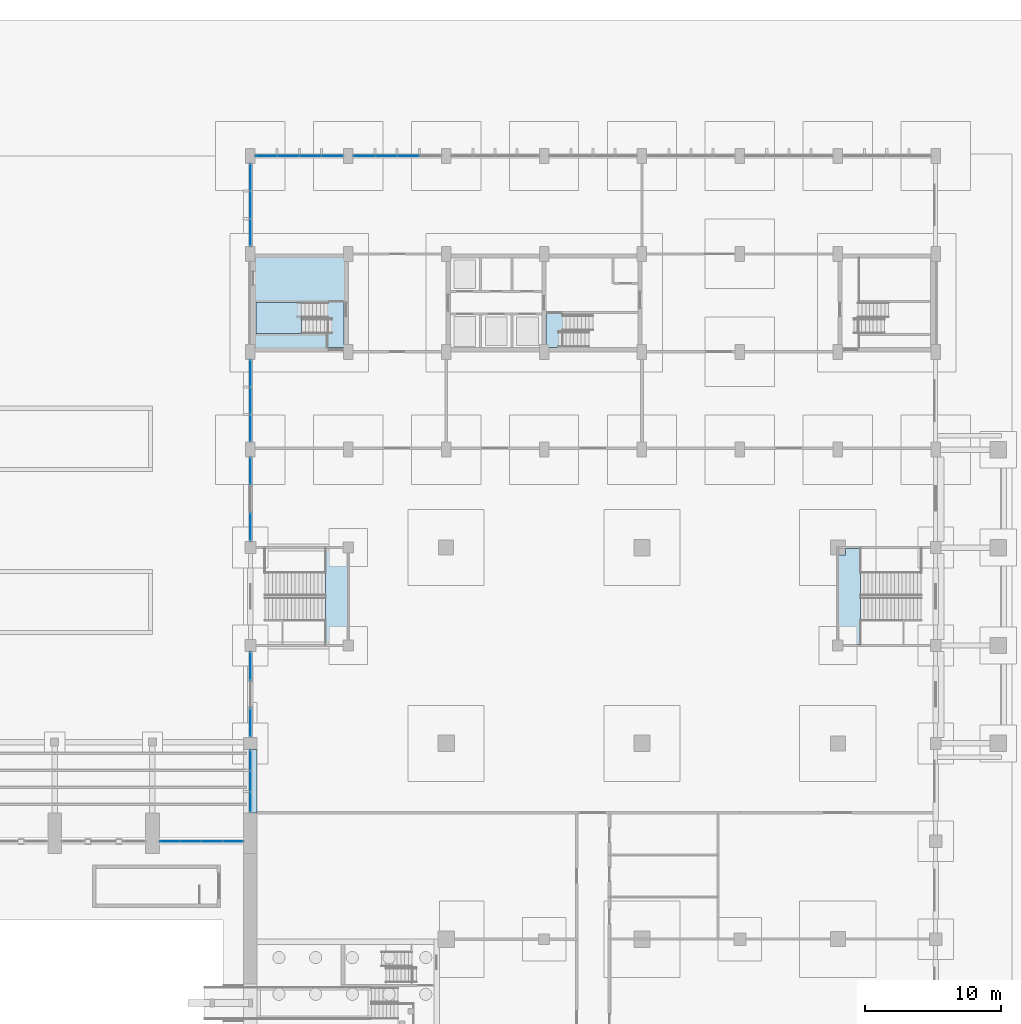
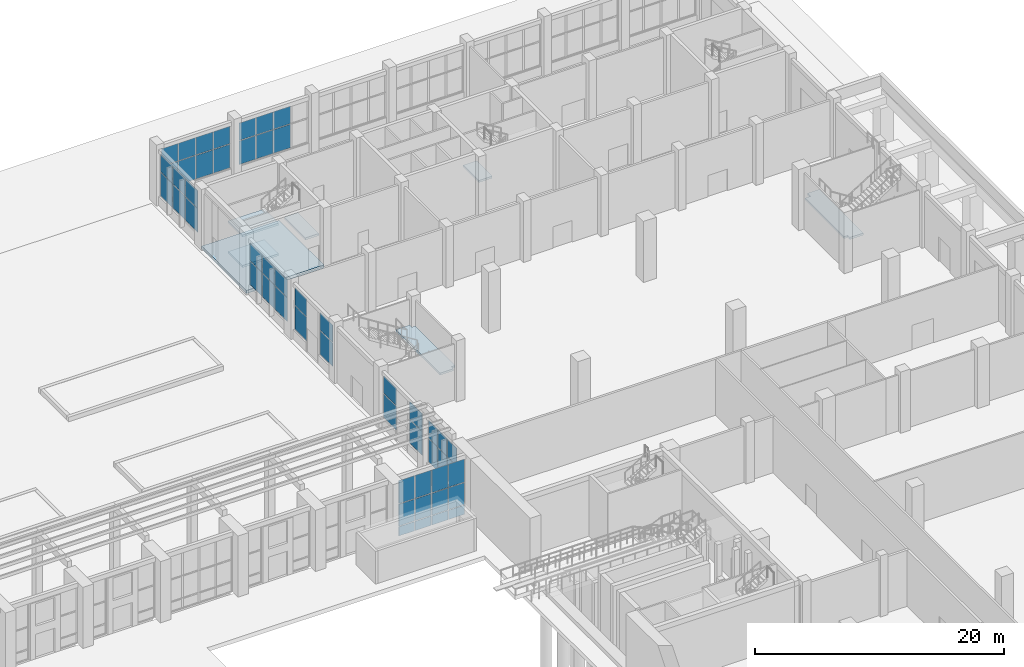
# One storey, part 36 of 70: 52 plates, 8 slabs, 14 elements without a shape of their own.
"""IFC4 building model written with IfcOpenShell, lengths in metres."""

from ifc_helpers import new_model, si_unit, direction, frame, origin, origin_2d, place, context, subcontext, project, spatial, polyline, rectangle, outline, extrude, material, layer, layer_set, type_object, element, aggregate, save


model = new_model("IFC4")

# Units and contexts
model_context = context("Model", 3, precision=1e-05, world=origin(), true_north=direction((0.0, 1.0)))
body_context = subcontext(model_context, "Body", "Model", "MODEL_VIEW")
ifc_project = project(units=[si_unit("LENGTHUNIT", "METRE"), si_unit("AREAUNIT", "SQUARE_METRE"), si_unit("VOLUMEUNIT", "CUBIC_METRE"), si_unit("PLANEANGLEUNIT", "RADIAN"), si_unit("MASSUNIT", "GRAM", prefix="KILO")], contexts=[model_context])

# Site, building, storey
site_placement = place(None, origin())
site = spatial("IfcSite", under=ifc_project, at=site_placement, CompositionType="ELEMENT")
building_placement = place(site_placement, origin())
building = spatial("IfcBuilding", under=site, at=building_placement, Name="Vermilion Court Aquatics Centre", CompositionType="ELEMENT")
storey_placement = place(building_placement, origin())
storey = spatial("IfcBuildingStorey", under=building, at=storey_placement, Name="L00", CompositionType="ELEMENT", Elevation=0.0)

# Curtain wall, plates
ifc_material_1 = material(Name="Aluminium 6063-T5", Category="aluminium")
curtain_wall_type_1 = type_object("IfcCurtainWallType", Name="Envelope curtain wall hall glazing L00", PredefinedType="NOTDEFINED", material=ifc_material_1)
curtain_wall_1_placement = place(storey_placement, origin())
curtain_wall_1 = element("IfcCurtainWall", 1, at=curtain_wall_1_placement, inside=storey, type_object=curtain_wall_type_1, Name="Hall glazing bay 18 L00", PredefinedType="NOTDEFINED")
ifc_material_2 = material(Name="Glazing", Category="glass")
ifc_layer_1 = layer(ifc_material_2, 0.028076171875)
ifc_layer_set_1 = layer_set([ifc_layer_1], Name="Envelope insulated glazing panel 28")
plate_type_1 = type_object("IfcPlateType", Name="Envelope insulated glazing panel 28", PredefinedType="CURTAIN_PANEL", material=ifc_layer_set_1)
plate_1_placement = place(storey_placement, frame((138.090087890625, 64.800048828125, 0.06005859375), z_axis=(0.0, 0.0, 1.0), x_axis=(1.0, 0.0, 0.0)))
plate_1 = element("IfcPlate", 2, at=plate_1_placement, type_object=plate_type_1, Name="ECW1 panel 1.1", PredefinedType="CURTAIN_PANEL", context=body_context, shape_type="SweptSolid", body=[
    extrude(rectangle(XDim=1.4599609375, YDim=0.028076171875, at=origin_2d()), origin(), (0.0, 0.0, 1.0), 0.909912109375),
])
plate_2_placement = place(storey_placement, frame((138.090087890625, 64.800048828125, 1.0302734375), z_axis=(0.0, 0.0, 1.0), x_axis=(1.0, 0.0, 0.0)))
plate_2 = element("IfcPlate", 3, at=plate_2_placement, type_object=plate_type_1, Name="ECW1 panel 1.2", PredefinedType="CURTAIN_PANEL", context=body_context, shape_type="SweptSolid", body=[
    extrude(rectangle(XDim=1.4599609375, YDim=0.028076171875, at=origin_2d()), origin(), (0.0, 0.0, 1.0), 2.139892578125),
])
plate_3_placement = place(storey_placement, frame((138.090087890625, 64.800048828125, 3.22998046875), z_axis=(0.0, 0.0, 1.0), x_axis=(1.0, 0.0, 0.0)))
plate_3 = element("IfcPlate", 4, at=plate_3_placement, type_object=plate_type_1, Name="ECW1 panel 1.3", PredefinedType="CURTAIN_PANEL", context=body_context, shape_type="SweptSolid", body=[
    extrude(rectangle(XDim=1.4599609375, YDim=0.028076171875, at=origin_2d()), origin(), (0.0, 0.0, 1.0), 2.260009765625),
])
plate_4_placement = place(storey_placement, frame((139.625, 64.800048828125, 0.06005859375), z_axis=(0.0, 0.0, 1.0), x_axis=(1.0, 0.0, 0.0)))
plate_4 = element("IfcPlate", 5, at=plate_4_placement, type_object=plate_type_1, Name="ECW1 panel 2.1", PredefinedType="CURTAIN_PANEL", context=body_context, shape_type="SweptSolid", body=[
    extrude(rectangle(XDim=1.489990234375, YDim=0.028076171875, at=origin_2d()), origin(), (0.0, 0.0, 1.0), 0.909912109375),
])
plate_5_placement = place(storey_placement, frame((139.625, 64.800048828125, 1.0302734375), z_axis=(0.0, 0.0, 1.0), x_axis=(1.0, 0.0, 0.0)))
plate_5 = element("IfcPlate", 6, at=plate_5_placement, type_object=plate_type_1, Name="ECW1 panel 2.2", PredefinedType="CURTAIN_PANEL", context=body_context, shape_type="SweptSolid", body=[
    extrude(rectangle(XDim=1.489990234375, YDim=0.028076171875, at=origin_2d()), origin(), (0.0, 0.0, 1.0), 2.139892578125),
])
plate_6_placement = place(storey_placement, frame((139.625, 64.800048828125, 3.22998046875), z_axis=(0.0, 0.0, 1.0), x_axis=(1.0, 0.0, 0.0)))
plate_6 = element("IfcPlate", 7, at=plate_6_placement, type_object=plate_type_1, Name="ECW1 panel 2.3", PredefinedType="CURTAIN_PANEL", context=body_context, shape_type="SweptSolid", body=[
    extrude(rectangle(XDim=1.489990234375, YDim=0.028076171875, at=origin_2d()), origin(), (0.0, 0.0, 1.0), 2.260009765625),
])
plate_7_placement = place(storey_placement, frame((141.175048828125, 64.800048828125, 0.06005859375), z_axis=(0.0, 0.0, 1.0), x_axis=(1.0, 0.0, 0.0)))
plate_7 = element("IfcPlate", 8, at=plate_7_placement, type_object=plate_type_1, Name="ECW1 panel 3.1", PredefinedType="CURTAIN_PANEL", context=body_context, shape_type="SweptSolid", body=[
    extrude(rectangle(XDim=1.489990234375, YDim=0.028076171875, at=origin_2d()), origin(), (0.0, 0.0, 1.0), 0.909912109375),
])
plate_8_placement = place(storey_placement, frame((141.175048828125, 64.800048828125, 1.0302734375), z_axis=(0.0, 0.0, 1.0), x_axis=(1.0, 0.0, 0.0)))
plate_8 = element("IfcPlate", 9, at=plate_8_placement, type_object=plate_type_1, Name="ECW1 panel 3.2", PredefinedType="CURTAIN_PANEL", context=body_context, shape_type="SweptSolid", body=[
    extrude(rectangle(XDim=1.489990234375, YDim=0.028076171875, at=origin_2d()), origin(), (0.0, 0.0, 1.0), 2.139892578125),
])
plate_9_placement = place(storey_placement, frame((141.175048828125, 64.800048828125, 3.22998046875), z_axis=(0.0, 0.0, 1.0), x_axis=(1.0, 0.0, 0.0)))
plate_9 = element("IfcPlate", 10, at=plate_9_placement, type_object=plate_type_1, Name="ECW1 panel 3.3", PredefinedType="CURTAIN_PANEL", context=body_context, shape_type="SweptSolid", body=[
    extrude(rectangle(XDim=1.489990234375, YDim=0.028076171875, at=origin_2d()), origin(), (0.0, 0.0, 1.0), 2.260009765625),
])
plate_10_placement = place(storey_placement, frame((142.7099609375, 64.800048828125, 0.06005859375), z_axis=(0.0, 0.0, 1.0), x_axis=(1.0, 0.0, 0.0)))
plate_10 = element("IfcPlate", 11, at=plate_10_placement, type_object=plate_type_1, Name="ECW1 panel 4.1", PredefinedType="CURTAIN_PANEL", context=body_context, shape_type="SweptSolid", body=[
    extrude(rectangle(XDim=1.4599609375, YDim=0.028076171875, at=origin_2d()), origin(), (0.0, 0.0, 1.0), 0.909912109375),
])
plate_11_placement = place(storey_placement, frame((142.7099609375, 64.800048828125, 1.0302734375), z_axis=(0.0, 0.0, 1.0), x_axis=(1.0, 0.0, 0.0)))
plate_11 = element("IfcPlate", 12, at=plate_11_placement, type_object=plate_type_1, Name="ECW1 panel 4.2", PredefinedType="CURTAIN_PANEL", context=body_context, shape_type="SweptSolid", body=[
    extrude(rectangle(XDim=1.4599609375, YDim=0.028076171875, at=origin_2d()), origin(), (0.0, 0.0, 1.0), 2.139892578125),
])
plate_12_placement = place(storey_placement, frame((142.7099609375, 64.800048828125, 3.22998046875), z_axis=(0.0, 0.0, 1.0), x_axis=(1.0, 0.0, 0.0)))
plate_12 = element("IfcPlate", 13, at=plate_12_placement, type_object=plate_type_1, Name="ECW1 panel 4.3", PredefinedType="CURTAIN_PANEL", context=body_context, shape_type="SweptSolid", body=[
    extrude(rectangle(XDim=1.4599609375, YDim=0.028076171875, at=origin_2d()), origin(), (0.0, 0.0, 1.0), 2.260009765625),
])
aggregate(curtain_wall_1, [plate_1, plate_2, plate_3, plate_4, plate_5, plate_6, plate_7, plate_8, plate_9, plate_10, plate_11, plate_12])

# Slab
ifc_material_3 = material(Name="Concrete 5000 psi", Category="concrete")
ifc_layer_2 = layer(ifc_material_3, 0.300048828125)
ifc_layer_set_2 = layer_set([ifc_layer_2], Name="North block ground slab 300")
slab_type_1 = type_object("IfcSlabType", Name="North block ground slab 300", PredefinedType="BASESLAB", material=ifc_layer_set_2)
slab_1_placement = place(storey_placement, frame((0.0, 0.0, -0.300048828125)))
element("IfcSlab", 14, at=slab_1_placement, inside=storey, type_object=slab_type_1, Name="Stair 1 floor L00", PredefinedType="BASESLAB", context=body_context, shape_type="SweptSolid", body=[
    extrude(outline(polyline([(144.0, 100.800048828125), (151.199951171875, 100.800048828125), (151.199951171875, 108.0), (144.0, 108.0), (144.0, 100.800048828125)])), origin(), (0.0, 0.0, 1.0), 0.300048828125),
])

# Stair, slabs
ifc_material_4 = material(Name="Concrete 5000 psi", Category="concrete")
stair_type_1 = type_object("IfcStairType", Name="North block exit stair 1130", PredefinedType="HALF_TURN_STAIR", material=ifc_material_4)
stair_1_placement = place(storey_placement, origin())
stair_1 = element("IfcStair", 15, at=stair_1_placement, inside=storey, type_object=stair_type_1, Name="Exit stair ST-T1 L00", PredefinedType="HALF_TURN_STAIR")
ifc_material_5 = material(Name="Concrete 5000 psi", Category="concrete")
ifc_layer_3 = layer(ifc_material_5, 0.199951171875)
ifc_layer_set_3 = layer_set([ifc_layer_3], Name="North block stair landing 200")
slab_type_2 = type_object("IfcSlabType", Name="North block stair landing 200", PredefinedType="LANDING", material=ifc_layer_set_3)
slab_2_placement = place(storey_placement, frame((0.0, 0.0, 1.300048828125)))
slab_2 = element("IfcSlab", 16, at=slab_2_placement, type_object=slab_type_2, Name="ST-T1 landing 1", PredefinedType="LANDING", context=body_context, shape_type="SweptSolid", body=[
    extrude(outline(polyline([(144.39990234375, 102.1298828125), (147.760009765625, 102.1298828125), (147.760009765625, 104.429931640625), (144.39990234375, 104.429931640625), (144.39990234375, 102.1298828125)])), origin(), (0.0, 0.0, 1.0), 0.199951171875),
])
slab_3_placement = place(storey_placement, frame((0.0, 0.0, 2.800048828125)))
slab_3 = element("IfcSlab", 17, at=slab_3_placement, type_object=slab_type_2, Name="ST-T1 landing 2", PredefinedType="LANDING", context=body_context, shape_type="SweptSolid", body=[
    extrude(outline(polyline([(149.64990234375, 101.10009765625), (150.89990234375, 101.10009765625), (150.89990234375, 104.5048828125), (149.64990234375, 104.5048828125), (149.64990234375, 101.10009765625)])), origin(), (0.0, 0.0, 1.0), 0.199951171875),
])
slab_4_placement = place(storey_placement, frame((0.0, 0.0, 4.300048828125)))
slab_4 = element("IfcSlab", 18, at=slab_4_placement, type_object=slab_type_2, Name="ST-T1 landing 3", PredefinedType="LANDING", context=body_context, shape_type="SweptSolid", body=[
    extrude(outline(polyline([(144.39990234375, 102.1298828125), (147.760009765625, 102.1298828125), (147.760009765625, 104.429931640625), (144.39990234375, 104.429931640625), (144.39990234375, 102.1298828125)])), origin(), (0.0, 0.0, 1.0), 0.199951171875),
])
aggregate(stair_1, [slab_2, slab_3, slab_4])

# Stair, slab
stair_2_placement = place(storey_placement, origin())
stair_2 = element("IfcStair", 19, at=stair_2_placement, inside=storey, type_object=stair_type_1, Name="Exit stair ST-T3 L00", PredefinedType="HALF_TURN_STAIR")
slab_5_placement = place(storey_placement, frame((0.0, 0.0, 2.800048828125)))
slab_5 = element("IfcSlab", 20, at=slab_5_placement, type_object=slab_type_2, Name="ST-T3 landing 2", PredefinedType="LANDING", context=body_context, shape_type="SweptSolid", body=[
    extrude(outline(polyline([(165.75, 101.10009765625), (167.0, 101.10009765625), (167.0, 103.60009765625), (165.75, 103.60009765625), (165.75, 101.10009765625)])), origin(), (0.0, 0.0, 1.0), 0.199951171875),
])
aggregate(stair_2, [slab_5])

# Curtain wall, plates
ifc_material_6 = material(Name="Aluminium 6063-T5", Category="aluminium")
ifc_layer_4 = layer(ifc_material_6, 0.14990234375)
ifc_layer_set_4 = layer_set([ifc_layer_4], Name="Podium curtain wall bay, 1800 module")
curtain_wall_type_2 = type_object("IfcCurtainWallType", Name="Podium curtain wall bay, 1800 module", PredefinedType="NOTDEFINED", material=ifc_layer_set_4)
curtain_wall_2_placement = place(storey_placement, origin())
curtain_wall_2 = element("IfcCurtainWall", 21, at=curtain_wall_2_placement, inside=storey, type_object=curtain_wall_type_2, Name="Curtain wall L00", PredefinedType="NOTDEFINED")
ifc_material_7 = material(Name="Glazing", Category="glass")
ifc_layer_5 = layer(ifc_material_7, 0.028076171875)
ifc_layer_set_5 = layer_set([ifc_layer_5], Name="Podium curtain wall glass panel 28")
plate_type_2 = type_object("IfcPlateType", Name="Podium curtain wall glass panel 28", PredefinedType="CURTAIN_PANEL", material=ifc_layer_set_5)
plate_13_placement = place(storey_placement, frame((145.177490234375, 115.199951171875, 0.9599609375), z_axis=(0.0, 0.0, 1.0), x_axis=(1.0, 0.0, 0.0)))
plate_13 = element("IfcPlate", 22, at=plate_13_placement, type_object=plate_type_2, Name="PG2 panel 1.1", PredefinedType="CURTAIN_PANEL", context=body_context, shape_type="SweptSolid", body=[
    extrude(rectangle(XDim=1.534912109375, YDim=0.028076171875, at=origin_2d()), origin(), (0.0, 0.0, 1.0), 2.31005859375),
])
plate_14_placement = place(storey_placement, frame((145.177490234375, 115.199951171875, 3.330078125), z_axis=(0.0, 0.0, 1.0), x_axis=(1.0, 0.0, 0.0)))
plate_14 = element("IfcPlate", 23, at=plate_14_placement, type_object=plate_type_2, Name="PG2 panel 1.2", PredefinedType="CURTAIN_PANEL", context=body_context, shape_type="SweptSolid", body=[
    extrude(rectangle(XDim=1.534912109375, YDim=0.028076171875, at=origin_2d()), origin(), (0.0, 0.0, 1.0), 1.7099609375),
])
plate_15_placement = place(storey_placement, frame((146.78759765625, 115.199951171875, 0.9599609375), z_axis=(0.0, 0.0, 1.0), x_axis=(1.0, 0.0, 0.0)))
plate_15 = element("IfcPlate", 24, at=plate_15_placement, type_object=plate_type_2, Name="PG2 panel 2.1", PredefinedType="CURTAIN_PANEL", context=body_context, shape_type="SweptSolid", body=[
    extrude(rectangle(XDim=1.56494140625, YDim=0.028076171875, at=origin_2d()), origin(), (0.0, 0.0, 1.0), 2.31005859375),
])
plate_16_placement = place(storey_placement, frame((146.78759765625, 115.199951171875, 3.330078125), z_axis=(0.0, 0.0, 1.0), x_axis=(1.0, 0.0, 0.0)))
plate_16 = element("IfcPlate", 25, at=plate_16_placement, type_object=plate_type_2, Name="PG2 panel 2.2", PredefinedType="CURTAIN_PANEL", context=body_context, shape_type="SweptSolid", body=[
    extrude(rectangle(XDim=1.56494140625, YDim=0.028076171875, at=origin_2d()), origin(), (0.0, 0.0, 1.0), 1.7099609375),
])
plate_17_placement = place(storey_placement, frame((148.41259765625, 115.199951171875, 0.9599609375), z_axis=(0.0, 0.0, 1.0), x_axis=(1.0, 0.0, 0.0)))
plate_17 = element("IfcPlate", 26, at=plate_17_placement, type_object=plate_type_2, Name="PG2 panel 3.1", PredefinedType="CURTAIN_PANEL", context=body_context, shape_type="SweptSolid", body=[
    extrude(rectangle(XDim=1.56494140625, YDim=0.028076171875, at=origin_2d()), origin(), (0.0, 0.0, 1.0), 2.31005859375),
])
plate_18_placement = place(storey_placement, frame((148.41259765625, 115.199951171875, 3.330078125), z_axis=(0.0, 0.0, 1.0), x_axis=(1.0, 0.0, 0.0)))
plate_18 = element("IfcPlate", 27, at=plate_18_placement, type_object=plate_type_2, Name="PG2 panel 3.2", PredefinedType="CURTAIN_PANEL", context=body_context, shape_type="SweptSolid", body=[
    extrude(rectangle(XDim=1.56494140625, YDim=0.028076171875, at=origin_2d()), origin(), (0.0, 0.0, 1.0), 1.7099609375),
])
plate_19_placement = place(storey_placement, frame((150.0224609375, 115.199951171875, 0.9599609375), z_axis=(0.0, 0.0, 1.0), x_axis=(1.0, 0.0, 0.0)))
plate_19 = element("IfcPlate", 28, at=plate_19_placement, type_object=plate_type_2, Name="PG2 panel 4.1", PredefinedType="CURTAIN_PANEL", context=body_context, shape_type="SweptSolid", body=[
    extrude(rectangle(XDim=1.534912109375, YDim=0.028076171875, at=origin_2d()), origin(), (0.0, 0.0, 1.0), 2.31005859375),
])
plate_20_placement = place(storey_placement, frame((150.0224609375, 115.199951171875, 3.330078125), z_axis=(0.0, 0.0, 1.0), x_axis=(1.0, 0.0, 0.0)))
plate_20 = element("IfcPlate", 29, at=plate_20_placement, type_object=plate_type_2, Name="PG2 panel 4.2", PredefinedType="CURTAIN_PANEL", context=body_context, shape_type="SweptSolid", body=[
    extrude(rectangle(XDim=1.534912109375, YDim=0.028076171875, at=origin_2d()), origin(), (0.0, 0.0, 1.0), 1.7099609375),
])
aggregate(curtain_wall_2, [plate_13, plate_14, plate_15, plate_16, plate_17, plate_18, plate_19, plate_20])

curtain_wall_3_placement = place(storey_placement, origin())
curtain_wall_3 = element("IfcCurtainWall", 30, at=curtain_wall_3_placement, inside=storey, type_object=curtain_wall_type_2, Name="Curtain wall L00", PredefinedType="NOTDEFINED")
plate_21_placement = place(storey_placement, frame((152.37744140625, 115.199951171875, 0.9599609375), z_axis=(0.0, 0.0, 1.0), x_axis=(1.0, 0.0, 0.0)))
plate_21 = element("IfcPlate", 31, at=plate_21_placement, type_object=plate_type_2, Name="PG2 panel 1.1", PredefinedType="CURTAIN_PANEL", context=body_context, shape_type="SweptSolid", body=[
    extrude(rectangle(XDim=1.534912109375, YDim=0.028076171875, at=origin_2d()), origin(), (0.0, 0.0, 1.0), 2.31005859375),
])
plate_22_placement = place(storey_placement, frame((152.37744140625, 115.199951171875, 3.330078125), z_axis=(0.0, 0.0, 1.0), x_axis=(1.0, 0.0, 0.0)))
plate_22 = element("IfcPlate", 32, at=plate_22_placement, type_object=plate_type_2, Name="PG2 panel 1.2", PredefinedType="CURTAIN_PANEL", context=body_context, shape_type="SweptSolid", body=[
    extrude(rectangle(XDim=1.534912109375, YDim=0.028076171875, at=origin_2d()), origin(), (0.0, 0.0, 1.0), 1.7099609375),
])
plate_23_placement = place(storey_placement, frame((153.987548828125, 115.199951171875, 0.9599609375), z_axis=(0.0, 0.0, 1.0), x_axis=(1.0, 0.0, 0.0)))
plate_23 = element("IfcPlate", 33, at=plate_23_placement, type_object=plate_type_2, Name="PG2 panel 2.1", PredefinedType="CURTAIN_PANEL", context=body_context, shape_type="SweptSolid", body=[
    extrude(rectangle(XDim=1.56494140625, YDim=0.028076171875, at=origin_2d()), origin(), (0.0, 0.0, 1.0), 2.31005859375),
])
plate_24_placement = place(storey_placement, frame((153.987548828125, 115.199951171875, 3.330078125), z_axis=(0.0, 0.0, 1.0), x_axis=(1.0, 0.0, 0.0)))
plate_24 = element("IfcPlate", 34, at=plate_24_placement, type_object=plate_type_2, Name="PG2 panel 2.2", PredefinedType="CURTAIN_PANEL", context=body_context, shape_type="SweptSolid", body=[
    extrude(rectangle(XDim=1.56494140625, YDim=0.028076171875, at=origin_2d()), origin(), (0.0, 0.0, 1.0), 1.7099609375),
])
plate_25_placement = place(storey_placement, frame((155.612548828125, 115.199951171875, 0.9599609375), z_axis=(0.0, 0.0, 1.0), x_axis=(1.0, 0.0, 0.0)))
plate_25 = element("IfcPlate", 35, at=plate_25_placement, type_object=plate_type_2, Name="PG2 panel 3.1", PredefinedType="CURTAIN_PANEL", context=body_context, shape_type="SweptSolid", body=[
    extrude(rectangle(XDim=1.56494140625, YDim=0.028076171875, at=origin_2d()), origin(), (0.0, 0.0, 1.0), 2.31005859375),
])
plate_26_placement = place(storey_placement, frame((155.612548828125, 115.199951171875, 3.330078125), z_axis=(0.0, 0.0, 1.0), x_axis=(1.0, 0.0, 0.0)))
plate_26 = element("IfcPlate", 36, at=plate_26_placement, type_object=plate_type_2, Name="PG2 panel 3.2", PredefinedType="CURTAIN_PANEL", context=body_context, shape_type="SweptSolid", body=[
    extrude(rectangle(XDim=1.56494140625, YDim=0.028076171875, at=origin_2d()), origin(), (0.0, 0.0, 1.0), 1.7099609375),
])
aggregate(curtain_wall_3, [plate_21, plate_22, plate_23, plate_24, plate_25, plate_26])

curtain_wall_4_placement = place(storey_placement, origin())
curtain_wall_4 = element("IfcCurtainWall", 37, at=curtain_wall_4_placement, inside=storey, type_object=curtain_wall_type_2, Name="Curtain wall L00", PredefinedType="NOTDEFINED")
plate_27_placement = place(storey_placement, frame((144.0, 67.68994140625, 0.9599609375), z_axis=(0.0, 0.0, 1.0), x_axis=(0.0, 1.0, 0.0)))
plate_27 = element("IfcPlate", 38, at=plate_27_placement, type_object=plate_type_2, Name="PG2 panel 1.1", PredefinedType="CURTAIN_PANEL", context=body_context, shape_type="SweptSolid", body=[
    extrude(rectangle(XDim=1.4599609375, YDim=0.028076171875, at=origin_2d()), origin(), (0.0, 0.0, 1.0), 2.31005859375),
])
plate_28_placement = place(storey_placement, frame((144.0, 67.68994140625, 3.330078125), z_axis=(0.0, 0.0, 1.0), x_axis=(0.0, 1.0, 0.0)))
plate_28 = element("IfcPlate", 39, at=plate_28_placement, type_object=plate_type_2, Name="PG2 panel 1.2", PredefinedType="CURTAIN_PANEL", context=body_context, shape_type="SweptSolid", body=[
    extrude(rectangle(XDim=1.4599609375, YDim=0.028076171875, at=origin_2d()), origin(), (0.0, 0.0, 1.0), 1.7099609375),
])
plate_29_placement = place(storey_placement, frame((144.0, 69.22509765625, 0.9599609375), z_axis=(0.0, 0.0, 1.0), x_axis=(0.0, 1.0, 0.0)))
plate_29 = element("IfcPlate", 40, at=plate_29_placement, type_object=plate_type_2, Name="PG2 panel 2.1", PredefinedType="CURTAIN_PANEL", context=body_context, shape_type="SweptSolid", body=[
    extrude(rectangle(XDim=1.489990234375, YDim=0.028076171875, at=origin_2d()), origin(), (0.0, 0.0, 1.0), 2.31005859375),
])
plate_30_placement = place(storey_placement, frame((144.0, 69.22509765625, 3.330078125), z_axis=(0.0, 0.0, 1.0), x_axis=(0.0, 1.0, 0.0)))
plate_30 = element("IfcPlate", 41, at=plate_30_placement, type_object=plate_type_2, Name="PG2 panel 2.2", PredefinedType="CURTAIN_PANEL", context=body_context, shape_type="SweptSolid", body=[
    extrude(rectangle(XDim=1.489990234375, YDim=0.028076171875, at=origin_2d()), origin(), (0.0, 0.0, 1.0), 1.7099609375),
])
plate_31_placement = place(storey_placement, frame((144.0, 70.760009765625, 0.9599609375), z_axis=(0.0, 0.0, 1.0), x_axis=(0.0, 1.0, 0.0)))
plate_31 = element("IfcPlate", 42, at=plate_31_placement, type_object=plate_type_2, Name="PG2 panel 3.1", PredefinedType="CURTAIN_PANEL", context=body_context, shape_type="SweptSolid", body=[
    extrude(rectangle(XDim=1.4599609375, YDim=0.028076171875, at=origin_2d()), origin(), (0.0, 0.0, 1.0), 2.31005859375),
])
plate_32_placement = place(storey_placement, frame((144.0, 70.760009765625, 3.330078125), z_axis=(0.0, 0.0, 1.0), x_axis=(0.0, 1.0, 0.0)))
plate_32 = element("IfcPlate", 43, at=plate_32_placement, type_object=plate_type_2, Name="PG2 panel 3.2", PredefinedType="CURTAIN_PANEL", context=body_context, shape_type="SweptSolid", body=[
    extrude(rectangle(XDim=1.4599609375, YDim=0.028076171875, at=origin_2d()), origin(), (0.0, 0.0, 1.0), 1.7099609375),
])
aggregate(curtain_wall_4, [plate_27, plate_28, plate_29, plate_30, plate_31, plate_32])

curtain_wall_5_placement = place(storey_placement, origin())
curtain_wall_5 = element("IfcCurtainWall", 44, at=curtain_wall_5_placement, inside=storey, type_object=curtain_wall_type_2, Name="Curtain wall L00", PredefinedType="NOTDEFINED")
plate_33_placement = place(storey_placement, frame((144.0, 73.52490234375, 0.9599609375), z_axis=(0.0, 0.0, 1.0), x_axis=(0.0, 1.0, 0.0)))
plate_33 = element("IfcPlate", 45, at=plate_33_placement, type_object=plate_type_2, Name="PG2 panel 1.1", PredefinedType="CURTAIN_PANEL", context=body_context, shape_type="SweptSolid", body=[
    extrude(rectangle(XDim=2.030029296875, YDim=0.028076171875, at=origin_2d()), origin(), (0.0, 0.0, 1.0), 2.31005859375),
])
plate_34_placement = place(storey_placement, frame((144.0, 73.52490234375, 3.330078125), z_axis=(0.0, 0.0, 1.0), x_axis=(0.0, 1.0, 0.0)))
plate_34 = element("IfcPlate", 46, at=plate_34_placement, type_object=plate_type_2, Name="PG2 panel 1.2", PredefinedType="CURTAIN_PANEL", context=body_context, shape_type="SweptSolid", body=[
    extrude(rectangle(XDim=2.030029296875, YDim=0.028076171875, at=origin_2d()), origin(), (0.0, 0.0, 1.0), 1.7099609375),
])
aggregate(curtain_wall_5, [plate_33, plate_34])

curtain_wall_6_placement = place(storey_placement, origin())
curtain_wall_6 = element("IfcCurtainWall", 47, at=curtain_wall_6_placement, inside=storey, type_object=curtain_wall_type_2, Name="Curtain wall L00", PredefinedType="NOTDEFINED")
plate_35_placement = place(storey_placement, frame((144.0, 77.675048828125, 0.9599609375), z_axis=(0.0, 0.0, 1.0), x_axis=(0.0, 1.0, 0.0)))
plate_35 = element("IfcPlate", 48, at=plate_35_placement, type_object=plate_type_2, Name="PG2 panel 1.1", PredefinedType="CURTAIN_PANEL", context=body_context, shape_type="SweptSolid", body=[
    extrude(rectangle(XDim=2.030029296875, YDim=0.028076171875, at=origin_2d()), origin(), (0.0, 0.0, 1.0), 2.31005859375),
])
plate_36_placement = place(storey_placement, frame((144.0, 77.675048828125, 3.330078125), z_axis=(0.0, 0.0, 1.0), x_axis=(0.0, 1.0, 0.0)))
plate_36 = element("IfcPlate", 49, at=plate_36_placement, type_object=plate_type_2, Name="PG2 panel 1.2", PredefinedType="CURTAIN_PANEL", context=body_context, shape_type="SweptSolid", body=[
    extrude(rectangle(XDim=2.030029296875, YDim=0.028076171875, at=origin_2d()), origin(), (0.0, 0.0, 1.0), 1.7099609375),
])
aggregate(curtain_wall_6, [plate_35, plate_36])

curtain_wall_7_placement = place(storey_placement, origin())
curtain_wall_7 = element("IfcCurtainWall", 50, at=curtain_wall_7_placement, inside=storey, type_object=curtain_wall_type_2, Name="Curtain wall L00", PredefinedType="NOTDEFINED")
plate_37_placement = place(storey_placement, frame((144.0, 87.925048828125, 0.9599609375), z_axis=(0.0, 0.0, 1.0), x_axis=(0.0, 1.0, 0.0)))
plate_37 = element("IfcPlate", 51, at=plate_37_placement, type_object=plate_type_2, Name="PG2 panel 1.1", PredefinedType="CURTAIN_PANEL", context=body_context, shape_type="SweptSolid", body=[
    extrude(rectangle(XDim=2.030029296875, YDim=0.028076171875, at=origin_2d()), origin(), (0.0, 0.0, 1.0), 2.31005859375),
])
plate_38_placement = place(storey_placement, frame((144.0, 87.925048828125, 3.330078125), z_axis=(0.0, 0.0, 1.0), x_axis=(0.0, 1.0, 0.0)))
plate_38 = element("IfcPlate", 52, at=plate_38_placement, type_object=plate_type_2, Name="PG2 panel 1.2", PredefinedType="CURTAIN_PANEL", context=body_context, shape_type="SweptSolid", body=[
    extrude(rectangle(XDim=2.030029296875, YDim=0.028076171875, at=origin_2d()), origin(), (0.0, 0.0, 1.0), 1.7099609375),
])
aggregate(curtain_wall_7, [plate_37, plate_38])

curtain_wall_8_placement = place(storey_placement, origin())
curtain_wall_8 = element("IfcCurtainWall", 53, at=curtain_wall_8_placement, inside=storey, type_object=curtain_wall_type_2, Name="Curtain wall L00", PredefinedType="NOTDEFINED")
plate_39_placement = place(storey_placement, frame((144.0, 92.02490234375, 0.9599609375), z_axis=(0.0, 0.0, 1.0), x_axis=(0.0, 1.0, 0.0)))
plate_39 = element("IfcPlate", 54, at=plate_39_placement, type_object=plate_type_2, Name="PG2 panel 1.1", PredefinedType="CURTAIN_PANEL", context=body_context, shape_type="SweptSolid", body=[
    extrude(rectangle(XDim=1.929931640625, YDim=0.028076171875, at=origin_2d()), origin(), (0.0, 0.0, 1.0), 2.31005859375),
])
plate_40_placement = place(storey_placement, frame((144.0, 92.02490234375, 3.330078125), z_axis=(0.0, 0.0, 1.0), x_axis=(0.0, 1.0, 0.0)))
plate_40 = element("IfcPlate", 55, at=plate_40_placement, type_object=plate_type_2, Name="PG2 panel 1.2", PredefinedType="CURTAIN_PANEL", context=body_context, shape_type="SweptSolid", body=[
    extrude(rectangle(XDim=1.929931640625, YDim=0.028076171875, at=origin_2d()), origin(), (0.0, 0.0, 1.0), 1.7099609375),
])
aggregate(curtain_wall_8, [plate_39, plate_40])

curtain_wall_9_placement = place(storey_placement, origin())
curtain_wall_9 = element("IfcCurtainWall", 56, at=curtain_wall_9_placement, inside=storey, type_object=curtain_wall_type_2, Name="Curtain wall L00", PredefinedType="NOTDEFINED")
plate_41_placement = place(storey_placement, frame((144.0, 95.181640625, 0.9599609375), z_axis=(0.0, 0.0, 1.0), x_axis=(0.0, 1.0, 0.0)))
plate_41 = element("IfcPlate", 57, at=plate_41_placement, type_object=plate_type_2, Name="PG2 panel 1.1", PredefinedType="CURTAIN_PANEL", context=body_context, shape_type="SweptSolid", body=[
    extrude(rectangle(XDim=1.943359375, YDim=0.028076171875, at=origin_2d()), origin(), (0.0, 0.0, 1.0), 2.31005859375),
])
plate_42_placement = place(storey_placement, frame((144.0, 95.181640625, 3.330078125), z_axis=(0.0, 0.0, 1.0), x_axis=(0.0, 1.0, 0.0)))
plate_42 = element("IfcPlate", 58, at=plate_42_placement, type_object=plate_type_2, Name="PG2 panel 1.2", PredefinedType="CURTAIN_PANEL", context=body_context, shape_type="SweptSolid", body=[
    extrude(rectangle(XDim=1.943359375, YDim=0.028076171875, at=origin_2d()), origin(), (0.0, 0.0, 1.0), 1.7099609375),
])
plate_43_placement = place(storey_placement, frame((144.0, 97.199951171875, 0.9599609375), z_axis=(0.0, 0.0, 1.0), x_axis=(0.0, 1.0, 0.0)))
plate_43 = element("IfcPlate", 59, at=plate_43_placement, type_object=plate_type_2, Name="PG2 panel 2.1", PredefinedType="CURTAIN_PANEL", context=body_context, shape_type="SweptSolid", body=[
    extrude(rectangle(XDim=1.973388671875, YDim=0.028076171875, at=origin_2d()), origin(), (0.0, 0.0, 1.0), 2.31005859375),
])
plate_44_placement = place(storey_placement, frame((144.0, 97.199951171875, 3.330078125), z_axis=(0.0, 0.0, 1.0), x_axis=(0.0, 1.0, 0.0)))
plate_44 = element("IfcPlate", 60, at=plate_44_placement, type_object=plate_type_2, Name="PG2 panel 2.2", PredefinedType="CURTAIN_PANEL", context=body_context, shape_type="SweptSolid", body=[
    extrude(rectangle(XDim=1.973388671875, YDim=0.028076171875, at=origin_2d()), origin(), (0.0, 0.0, 1.0), 1.7099609375),
])
plate_45_placement = place(storey_placement, frame((144.0, 99.21826171875, 0.9599609375), z_axis=(0.0, 0.0, 1.0), x_axis=(0.0, 1.0, 0.0)))
plate_45 = element("IfcPlate", 61, at=plate_45_placement, type_object=plate_type_2, Name="PG2 panel 3.1", PredefinedType="CURTAIN_PANEL", context=body_context, shape_type="SweptSolid", body=[
    extrude(rectangle(XDim=1.943359375, YDim=0.028076171875, at=origin_2d()), origin(), (0.0, 0.0, 1.0), 2.31005859375),
])
plate_46_placement = place(storey_placement, frame((144.0, 99.21826171875, 3.330078125), z_axis=(0.0, 0.0, 1.0), x_axis=(0.0, 1.0, 0.0)))
plate_46 = element("IfcPlate", 62, at=plate_46_placement, type_object=plate_type_2, Name="PG2 panel 3.2", PredefinedType="CURTAIN_PANEL", context=body_context, shape_type="SweptSolid", body=[
    extrude(rectangle(XDim=1.943359375, YDim=0.028076171875, at=origin_2d()), origin(), (0.0, 0.0, 1.0), 1.7099609375),
])
aggregate(curtain_wall_9, [plate_41, plate_42, plate_43, plate_44, plate_45, plate_46])

curtain_wall_10_placement = place(storey_placement, origin())
curtain_wall_10 = element("IfcCurtainWall", 63, at=curtain_wall_10_placement, inside=storey, type_object=curtain_wall_type_2, Name="Curtain wall L00", PredefinedType="NOTDEFINED")
plate_47_placement = place(storey_placement, frame((144.0, 109.581787109375, 0.9599609375), z_axis=(0.0, 0.0, 1.0), x_axis=(0.0, 1.0, 0.0)))
plate_47 = element("IfcPlate", 64, at=plate_47_placement, type_object=plate_type_2, Name="PG2 panel 1.1", PredefinedType="CURTAIN_PANEL", context=body_context, shape_type="SweptSolid", body=[
    extrude(rectangle(XDim=1.943359375, YDim=0.028076171875, at=origin_2d()), origin(), (0.0, 0.0, 1.0), 2.31005859375),
])
plate_48_placement = place(storey_placement, frame((144.0, 109.581787109375, 3.330078125), z_axis=(0.0, 0.0, 1.0), x_axis=(0.0, 1.0, 0.0)))
plate_48 = element("IfcPlate", 65, at=plate_48_placement, type_object=plate_type_2, Name="PG2 panel 1.2", PredefinedType="CURTAIN_PANEL", context=body_context, shape_type="SweptSolid", body=[
    extrude(rectangle(XDim=1.943359375, YDim=0.028076171875, at=origin_2d()), origin(), (0.0, 0.0, 1.0), 1.7099609375),
])
plate_49_placement = place(storey_placement, frame((144.0, 111.60009765625, 0.9599609375), z_axis=(0.0, 0.0, 1.0), x_axis=(0.0, 1.0, 0.0)))
plate_49 = element("IfcPlate", 66, at=plate_49_placement, type_object=plate_type_2, Name="PG2 panel 2.1", PredefinedType="CURTAIN_PANEL", context=body_context, shape_type="SweptSolid", body=[
    extrude(rectangle(XDim=1.973388671875, YDim=0.028076171875, at=origin_2d()), origin(), (0.0, 0.0, 1.0), 2.31005859375),
])
plate_50_placement = place(storey_placement, frame((144.0, 111.60009765625, 3.330078125), z_axis=(0.0, 0.0, 1.0), x_axis=(0.0, 1.0, 0.0)))
plate_50 = element("IfcPlate", 67, at=plate_50_placement, type_object=plate_type_2, Name="PG2 panel 2.2", PredefinedType="CURTAIN_PANEL", context=body_context, shape_type="SweptSolid", body=[
    extrude(rectangle(XDim=1.973388671875, YDim=0.028076171875, at=origin_2d()), origin(), (0.0, 0.0, 1.0), 1.7099609375),
])
plate_51_placement = place(storey_placement, frame((144.0, 113.618408203125, 0.9599609375), z_axis=(0.0, 0.0, 1.0), x_axis=(0.0, 1.0, 0.0)))
plate_51 = element("IfcPlate", 68, at=plate_51_placement, type_object=plate_type_2, Name="PG2 panel 3.1", PredefinedType="CURTAIN_PANEL", context=body_context, shape_type="SweptSolid", body=[
    extrude(rectangle(XDim=1.943359375, YDim=0.028076171875, at=origin_2d()), origin(), (0.0, 0.0, 1.0), 2.31005859375),
])
plate_52_placement = place(storey_placement, frame((144.0, 113.618408203125, 3.330078125), z_axis=(0.0, 0.0, 1.0), x_axis=(0.0, 1.0, 0.0)))
plate_52 = element("IfcPlate", 69, at=plate_52_placement, type_object=plate_type_2, Name="PG2 panel 3.2", PredefinedType="CURTAIN_PANEL", context=body_context, shape_type="SweptSolid", body=[
    extrude(rectangle(XDim=1.943359375, YDim=0.028076171875, at=origin_2d()), origin(), (0.0, 0.0, 1.0), 1.7099609375),
])
aggregate(curtain_wall_10, [plate_47, plate_48, plate_49, plate_50, plate_51, plate_52])

# Stair, slab
ifc_material_8 = material(Name="Concrete 5000 psi", Category="concrete")
stair_type_2 = type_object("IfcStairType", Name="Podium exit stair 1600 clear, two flights", PredefinedType="TWO_STRAIGHT_RUN_STAIR", material=ifc_material_8)
stair_3_placement = place(storey_placement, origin())
stair_3 = element("IfcStair", 70, at=stair_3_placement, inside=storey, type_object=stair_type_2, Name="Exit stair P3", PredefinedType="TWO_STRAIGHT_RUN_STAIR")
ifc_material_9 = material(Name="Concrete 5000 psi", Category="concrete")
ifc_layer_6 = layer(ifc_material_9, 0.199951171875)
ifc_layer_set_6 = layer_set([ifc_layer_6], Name="Podium stair landing 200")
slab_type_3 = type_object("IfcSlabType", Name="Podium stair landing 200", PredefinedType="LANDING", material=ifc_layer_set_6)
slab_6_placement = place(storey_placement, frame((0.0, 0.0, 2.800048828125)))
slab_6 = element("IfcSlab", 71, at=slab_6_placement, type_object=slab_type_3, Name="ST-P3 landing 1", PredefinedType="LANDING", context=body_context, shape_type="SweptSolid", body=[
    extrude(outline(polyline([(150.800048828125, 79.60009765625), (150.800048828125, 79.262451171875), (149.534423828125, 79.262451171875), (149.534423828125, 86.33740234375), (150.800048828125, 86.33740234375), (150.800048828125, 86.0), (151.137451171875, 86.0), (151.137451171875, 79.60009765625), (150.800048828125, 79.60009765625)])), origin(), (0.0, 0.0, 1.0), 0.199951171875),
])
aggregate(stair_3, [slab_6])

stair_4_placement = place(storey_placement, origin())
stair_4 = element("IfcStair", 72, at=stair_4_placement, inside=storey, type_object=stair_type_2, Name="Exit stair P4", PredefinedType="TWO_STRAIGHT_RUN_STAIR")
slab_7_placement = place(storey_placement, frame((0.0, 0.0, 2.800048828125)))
slab_7 = element("IfcSlab", 73, at=slab_7_placement, type_object=slab_type_3, Name="ST-P4 landing 1", PredefinedType="LANDING", context=body_context, shape_type="SweptSolid", body=[
    extrude(outline(polyline([(187.262451171875, 79.60009765625), (187.262451171875, 85.85009765625), (187.75, 85.85009765625), (187.75, 86.33740234375), (188.865478515625, 86.33740234375), (188.865478515625, 79.262451171875), (187.60009765625, 79.262451171875), (187.60009765625, 79.60009765625), (187.262451171875, 79.60009765625)])), origin(), (0.0, 0.0, 1.0), 0.199951171875),
])
aggregate(stair_4, [slab_7])

# Slab
ifc_material_10 = material(Name="Concrete 4000 psi", Category="concrete")
ifc_layer_7 = layer(ifc_material_10, 0.449951171875)
ifc_layer_set_7 = layer_set([ifc_layer_7], Name="Site ground slab 450")
slab_type_4 = type_object("IfcSlabType", Name="Site ground slab 450", PredefinedType="FLOOR", material=ifc_layer_set_7)
slab_8_placement = place(storey_placement, frame((0.0, 0.0, -0.449951171875)))
element("IfcSlab", 74, at=slab_8_placement, inside=storey, type_object=slab_type_4, Name="Site ground slab", PredefinedType="FLOOR", context=body_context, shape_type="SweptSolid", body=[
    extrude(outline(polyline([(144.5, 66.89990234375), (143.5, 66.89990234375), (143.5, 71.550048828125), (144.5, 71.550048828125), (144.5, 66.89990234375)])), origin(), (0.0, 0.0, 1.0), 0.449951171875),
])

save(model, "model.ifc")
